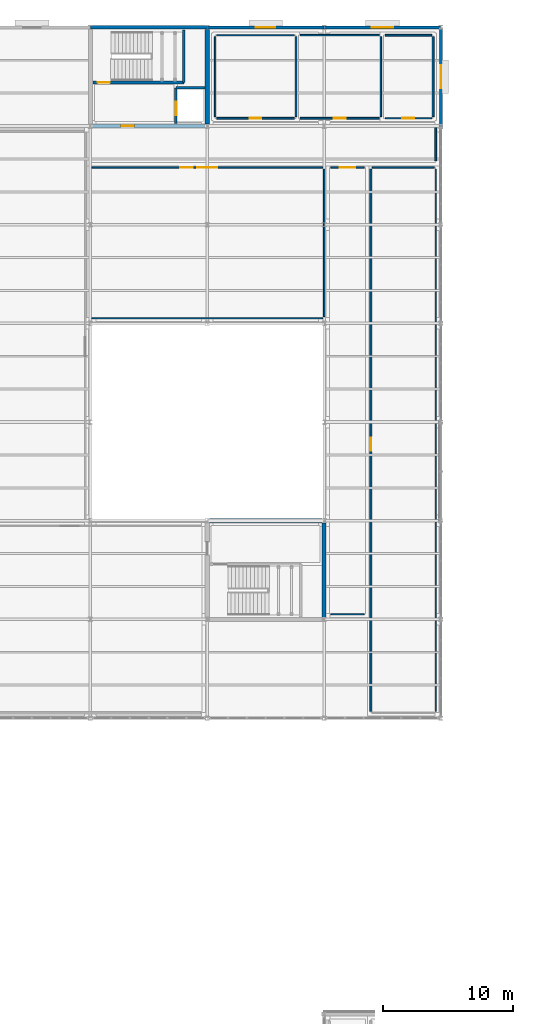
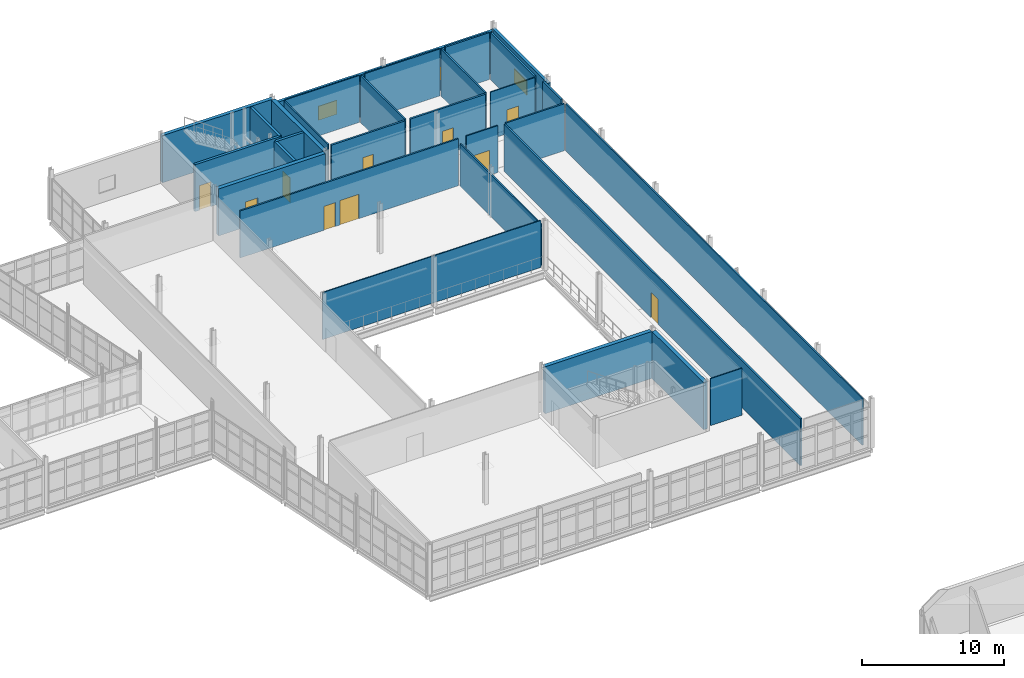
# One storey, part 159 of 166: 31 walls, 10 doors, 3 windows, 13 openings.
"""IFC4 building model written with IfcOpenShell, lengths in metres."""

from ifc_helpers import new_model, si_unit, direction, frame, frame_2d, origin, place, context, subcontext, project, spatial, rectangle, extrude, material, layer, layer_set, type_object, element, fill, save


model = new_model("IFC4")

# Units and contexts
model_context = context("Model", 3, precision=1e-05, world=origin(), true_north=direction((0.0, 1.0)))
body_context = subcontext(model_context, "Body", "Model", "MODEL_VIEW")
ifc_project = project(units=[si_unit("LENGTHUNIT", "METRE"), si_unit("AREAUNIT", "SQUARE_METRE"), si_unit("VOLUMEUNIT", "CUBIC_METRE"), si_unit("PLANEANGLEUNIT", "RADIAN"), si_unit("MASSUNIT", "GRAM", prefix="KILO")], contexts=[model_context])

# Site, building, storey
site_placement = place(None, origin())
site = spatial("IfcSite", under=ifc_project, at=site_placement, CompositionType="ELEMENT")
building_placement = place(site_placement, origin())
building = spatial("IfcBuilding", under=site, at=building_placement, Name="Caisbarro Railhouse Central Library", CompositionType="ELEMENT")
storey_placement = place(building_placement, frame((0.0, 0.0, 9.360107421875)))
storey = spatial("IfcBuildingStorey", under=building, at=storey_placement, Name="L02", CompositionType="ELEMENT", Elevation=9.360107421875)

# Wall, opening, door
ifc_material_1 = material(Name="Concrete C40", Category="concrete")
ifc_layer_1 = layer(ifc_material_1, 0.320068359375, Name="Concrete C40")
ifc_layer_set_1 = layer_set([ifc_layer_1], Name="Concrete C40")
wall_type_1 = type_object("IfcWallType", Name="WAL-CW32", PredefinedType="SHEAR", material=ifc_layer_set_1)
wall_1_placement = place(storey_placement, frame((126.159912109375, 106.39990234375, 0.0), z_axis=(0.0, 0.0, 1.0), x_axis=(1.0, 0.0, 0.0)))
wall_1 = element("IfcWall", 1, at=wall_1_placement, inside=storey, type_object=wall_type_1, Name="CW32 RC core shear wall L02 #46", PredefinedType="SHEAR", context=body_context, shape_type="SweptSolid", body=[
    extrude(rectangle(XDim=8.68017578125, YDim=0.320068359375, at=frame_2d((4.340087890625, 0.0))), origin(), (0.0, 0.0, 1.0), 4.039794921875),
])
opening_1_placement = place(wall_1_placement, frame((2.199951171875, 0.0, 0.0)))
opening_1 = element("IfcOpeningElement", 2, at=opening_1_placement, cuts=wall_1, Name="Opening FD05", PredefinedType="OPENING", context=body_context, shape_type="SweptSolid", body=[
    extrude(rectangle(XDim=1.0, YDim=2.14990234375, at=frame_2d((0.5, 1.074951171875))), frame((0.0, 0.169921875, 0.0), z_axis=(0.0, -1.0, 0.0), x_axis=(1.0, 0.0, 0.0)), (0.0, 0.0, 1.0), 0.340087890625),
])
ifc_material_2 = material(Name="Fire-rated painted galvanised steel", Category="steel")
door_type_1 = type_object("IfcDoorType", Name="DR-FD05", OperationType="NOTDEFINED", PredefinedType="DOOR", material=ifc_material_2)
door_1_placement = place(opening_1_placement, origin())
door_1 = element("IfcDoor", 3, at=door_1_placement, inside=storey, type_object=door_type_1, Name="Core K3 Lobby Door FD05 L02-093", OperationType="SINGLE_SWING_RIGHT", OverallHeight=2.14990234375, OverallWidth=1.0, PredefinedType="DOOR", context=body_context, shape_type="SweptSolid", body=[
    extrude(rectangle(XDim=1.0, YDim=2.14990234375, at=frame_2d((0.5, 1.074951171875))), frame((0.0, 0.02490234375, 0.0), z_axis=(0.0, -1.0, 0.0), x_axis=(1.0, 0.0, 0.0)), (0.0, 0.0, 1.0), 0.050048828125),
])
fill(opening_1, door_1)

# Walls
wall_2_placement = place(storey_placement, frame((135.0, 106.56005859375, 0.0), z_axis=(0.0, 0.0, 1.0), x_axis=(0.0, 1.0, 0.0)))
element("IfcWall", 4, at=wall_2_placement, inside=storey, type_object=wall_type_1, Name="CW32 RC core shear wall L02 #48", PredefinedType="SHEAR", context=body_context, shape_type="SweptSolid", body=[
    extrude(rectangle(XDim=7.280029296875, YDim=0.320068359375, at=frame_2d((3.64013671875, 0.0))), origin(), (0.0, 0.0, 1.0), 4.039794921875),
])
wall_3_placement = place(storey_placement, frame((135.159912109375, 76.0, 0.0), z_axis=(0.0, 0.0, 1.0), x_axis=(1.0, 0.0, 0.0)))
element("IfcWall", 5, at=wall_3_placement, inside=storey, type_object=wall_type_1, Name="CW32 RC core shear wall L02 #99", PredefinedType="SHEAR", context=body_context, shape_type="SweptSolid", body=[
    extrude(rectangle(XDim=8.68017578125, YDim=0.320068359375, at=frame_2d((4.340087890625, 0.0))), origin(), (0.0, 0.0, 1.0), 4.039794921875),
])
wall_4_placement = place(storey_placement, frame((144.0, 68.56005859375, 0.0), z_axis=(0.0, 0.0, 1.0), x_axis=(0.0, 1.0, 0.0)))
element("IfcWall", 6, at=wall_4_placement, inside=storey, type_object=wall_type_1, Name="CW32 RC core shear wall L02 #101", PredefinedType="SHEAR", context=body_context, shape_type="SweptSolid", body=[
    extrude(rectangle(XDim=7.280029296875, YDim=0.320068359375, at=frame_2d((3.64013671875, 0.0))), origin(), (0.0, 0.0, 1.0), 4.039794921875),
])

# Wall, opening, window
ifc_material_3 = material(Name="Concrete C35 insulated architectural precast", Category="concrete")
ifc_layer_2 = layer(ifc_material_3, 0.239990234375, Name="Concrete C35 insulated architectural precast")
ifc_layer_set_2 = layer_set([ifc_layer_2], Name="Concrete C35 insulated architectural precast")
wall_type_2 = type_object("IfcWallType", Name="WAL-EW24", PredefinedType="STANDARD", material=ifc_layer_set_2)
wall_5_placement = place(storey_placement, frame((135.0, 114.0, 0.0), z_axis=(0.0, 0.0, 1.0), x_axis=(1.0, 0.0, 0.0)))
wall_5 = element("IfcWall", 7, at=wall_5_placement, inside=storey, type_object=wall_type_2, Name="EW24 exterior wall L02 #215", PredefinedType="STANDARD", context=body_context, shape_type="SweptSolid", body=[
    extrude(rectangle(XDim=9.0, YDim=0.239990234375, at=frame_2d((4.5, 0.0))), origin(), (0.0, 0.0, 1.0), 3.630859375),
])
opening_2_placement = place(wall_5_placement, frame((3.75, 0.0, 0.85009765625)))
opening_2 = element("IfcOpeningElement", 8, at=opening_2_placement, cuts=wall_5, Name="Opening W05", PredefinedType="OPENING", context=body_context, shape_type="SweptSolid", body=[
    extrude(rectangle(XDim=1.5, YDim=1.199951171875, at=frame_2d((0.75, 0.60009765625))), frame((0.0, 0.1298828125, 0.0), z_axis=(0.0, -1.0, 0.0), x_axis=(1.0, 0.0, 0.0)), (0.0, 0.0, 1.0), 0.260009765625),
])
ifc_material_4 = material(Name="Double low-e laminated solar-control glass", Category="glass")
window_type_1 = type_object("IfcWindowType", Name="WIN-W05", PartitioningType="SINGLE_PANEL", PredefinedType="WINDOW", material=ifc_material_4)
window_1_placement = place(opening_2_placement, origin())
window_1 = element("IfcWindow", 9, at=window_1_placement, inside=storey, type_object=window_type_1, Name="W05 window L02-073", OverallHeight=1.199951171875, OverallWidth=1.5, PartitioningType="SINGLE_PANEL", PredefinedType="WINDOW", context=body_context, shape_type="SweptSolid", body=[
    extrude(rectangle(XDim=1.5, YDim=1.199951171875, at=frame_2d((0.75, 0.60009765625))), frame((0.0, 0.030029296875, 0.0), z_axis=(0.0, -1.0, 0.0), x_axis=(1.0, 0.0, 0.0)), (0.0, 0.0, 1.0), 0.06005859375),
])
fill(opening_2, window_1)

wall_6_placement = place(storey_placement, frame((144.0, 114.0, 0.0), z_axis=(0.0, 0.0, 1.0), x_axis=(1.0, 0.0, 0.0)))
wall_6 = element("IfcWall", 10, at=wall_6_placement, inside=storey, type_object=wall_type_2, Name="EW24 exterior wall L02 #216", PredefinedType="STANDARD", context=body_context, shape_type="SweptSolid", body=[
    extrude(rectangle(XDim=9.0, YDim=0.239990234375, at=frame_2d((4.5, 0.0))), origin(), (0.0, 0.0, 1.0), 3.630859375),
])
opening_3_placement = place(wall_6_placement, frame((3.675048828125, 0.0, 0.85009765625)))
opening_3 = element("IfcOpeningElement", 11, at=opening_3_placement, cuts=wall_6, Name="Opening W06", PredefinedType="OPENING", context=body_context, shape_type="SweptSolid", body=[
    extrude(rectangle(XDim=1.64990234375, YDim=1.199951171875, at=frame_2d((0.824951171875, 0.60009765625))), frame((0.0, 0.1298828125, 0.0), z_axis=(0.0, -1.0, 0.0), x_axis=(1.0, 0.0, 0.0)), (0.0, 0.0, 1.0), 0.260009765625),
])
window_type_2 = type_object("IfcWindowType", Name="WIN-W06", PartitioningType="SINGLE_PANEL", PredefinedType="WINDOW", material=ifc_material_4)
window_2_placement = place(opening_3_placement, origin())
window_2 = element("IfcWindow", 12, at=window_2_placement, inside=storey, type_object=window_type_2, Name="W06 window L02-074", OverallHeight=1.199951171875, OverallWidth=1.64990234375, PartitioningType="SINGLE_PANEL", PredefinedType="WINDOW", context=body_context, shape_type="SweptSolid", body=[
    extrude(rectangle(XDim=1.64990234375, YDim=1.199951171875, at=frame_2d((0.824951171875, 0.60009765625))), frame((0.0, 0.030029296875, 0.0), z_axis=(0.0, -1.0, 0.0), x_axis=(1.0, 0.0, 0.0)), (0.0, 0.0, 1.0), 0.06005859375),
])
fill(opening_3, window_2)

wall_7_placement = place(storey_placement, frame((153.0, 106.18994140625, 0.0), z_axis=(0.0, 0.0, 1.0), x_axis=(0.0, 1.0, 0.0)))
wall_7 = element("IfcWall", 13, at=wall_7_placement, inside=storey, type_object=wall_type_2, Name="EW24 exterior wall L02 #217", PredefinedType="STANDARD", context=body_context, shape_type="SweptSolid", body=[
    extrude(rectangle(XDim=7.81005859375, YDim=0.239990234375, at=frame_2d((3.905029296875, 0.0))), origin(), (0.0, 0.0, 1.0), 3.787841796875),
])
opening_4_placement = place(wall_7_placement, frame((3.110107421875, 0.0, 0.85009765625)))
opening_4 = element("IfcOpeningElement", 14, at=opening_4_placement, cuts=wall_7, Name="Opening W07", PredefinedType="OPENING", context=body_context, shape_type="SweptSolid", body=[
    extrude(rectangle(XDim=1.800048828125, YDim=1.199951171875, at=frame_2d((0.89990234375, 0.60009765625))), frame((0.0, 0.1298828125, 0.0), z_axis=(0.0, -1.0, 0.0), x_axis=(1.0, 0.0, 0.0)), (0.0, 0.0, 1.0), 0.260009765625),
])
window_type_3 = type_object("IfcWindowType", Name="WIN-W07", PartitioningType="SINGLE_PANEL", PredefinedType="WINDOW", material=ifc_material_4)
window_3_placement = place(opening_4_placement, origin())
window_3 = element("IfcWindow", 15, at=window_3_placement, inside=storey, type_object=window_type_3, Name="W07 window L02-075", OverallHeight=1.199951171875, OverallWidth=1.800048828125, PartitioningType="SINGLE_PANEL", PredefinedType="WINDOW", context=body_context, shape_type="SweptSolid", body=[
    extrude(rectangle(XDim=1.800048828125, YDim=1.199951171875, at=frame_2d((0.89990234375, 0.60009765625))), frame((0.0, 0.030029296875, 0.0), z_axis=(0.0, -1.0, 0.0), x_axis=(1.0, 0.0, 0.0)), (0.0, 0.0, 1.0), 0.06005859375),
])
fill(opening_4, window_3)

# Walls
ifc_layer_3 = layer(ifc_material_1, 0.280029296875, Name="Concrete C40")
ifc_layer_set_3 = layer_set([ifc_layer_3], Name="Concrete C40")
wall_type_3 = type_object("IfcWallType", Name="WAL-EW28", PredefinedType="SOLIDWALL", material=ifc_layer_set_3)
wall_8_placement = place(storey_placement, frame((126.0, 114.0, 0.0), z_axis=(0.0, 0.0, 1.0), x_axis=(1.0, 0.0, 0.0)))
element("IfcWall", 16, at=wall_8_placement, inside=storey, type_object=wall_type_3, Name="EW28 exterior wall L02 #214", PredefinedType="SOLIDWALL", context=body_context, shape_type="SweptSolid", body=[
    extrude(rectangle(XDim=9.0, YDim=0.280029296875, at=frame_2d((4.5, 0.0))), origin(), (0.0, 0.0, 1.0), 4.059814453125),
])
ifc_material_5 = material(Name="Acoustic gypsum board on galvanised steel studs", Category="steel")
ifc_layer_4 = layer(ifc_material_5, 0.090087890625, Name="Acoustic gypsum board on galvanised steel studs")
ifc_layer_set_4 = layer_set([ifc_layer_4], Name="Acoustic gypsum board on galvanised steel studs")
wall_type_4 = type_object("IfcWallType", Name="WAL-IW09", PredefinedType="PARTITIONING", material=ifc_layer_set_4)
wall_9_placement = place(storey_placement, frame((126.1201171875, 91.60009765625, 0.0), z_axis=(0.0, 0.0, 1.0), x_axis=(1.0, 0.0, 0.0)))
element("IfcWall", 17, at=wall_9_placement, inside=storey, type_object=wall_type_4, Name="IW09 partition wall L02 #515", PredefinedType="PARTITIONING", context=body_context, shape_type="SweptSolid", body=[
    extrude(rectangle(XDim=17.759765625, YDim=0.090087890625, at=frame_2d((8.8798828125, 0.0))), origin(), (0.0, 0.0, 1.0), 4.039794921875),
])
wall_10_placement = place(storey_placement, frame((135.719970703125, 113.39990234375, 0.0), z_axis=(0.0, 0.0, 1.0), x_axis=(1.0, 0.0, 0.0)))
element("IfcWall", 18, at=wall_10_placement, inside=storey, type_object=wall_type_4, Name="IW09 partition wall L02 #523", PredefinedType="PARTITIONING", context=body_context, shape_type="SweptSolid", body=[
    extrude(rectangle(XDim=5.99609375, YDim=0.090087890625, at=frame_2d((2.998046875, 0.0))), origin(), (0.0, 0.0, 1.0), 4.039794921875),
])

# Wall, opening, door
wall_11_placement = place(storey_placement, frame((148.69189453125, 107.0, 0.0), z_axis=(0.0, 0.0, 1.0), x_axis=(1.0, 0.0, 0.0)))
wall_11 = element("IfcWall", 19, at=wall_11_placement, inside=storey, type_object=wall_type_4, Name="IW09 partition wall L02 #527", PredefinedType="PARTITIONING", context=body_context, shape_type="SweptSolid", body=[
    extrude(rectangle(XDim=3.588134765625, YDim=0.090087890625, at=frame_2d((1.7939453125, 0.0))), origin(), (0.0, 0.0, 1.0), 4.039794921875),
])
opening_5_placement = place(wall_11_placement, frame((1.323974609375, 0.0, 0.0)))
opening_5 = element("IfcOpeningElement", 20, at=opening_5_placement, cuts=wall_11, Name="Opening ID03", PredefinedType="OPENING", context=body_context, shape_type="SweptSolid", body=[
    extrude(rectangle(XDim=0.93994140625, YDim=2.06005859375, at=frame_2d((0.469970703125, 1.030029296875))), frame((0.0, 0.05517578125, 0.0), z_axis=(0.0, -1.0, 0.0), x_axis=(1.0, 0.0, 0.0)), (0.0, 0.0, 1.0), 0.110107421875),
])
ifc_material_6 = material(Name="Solid-core tropical hardwood veneer", Category="wood")
door_type_2 = type_object("IfcDoorType", Name="DR-ID03", OperationType="NOTDEFINED", PredefinedType="DOOR", material=ifc_material_6)
door_2_placement = place(opening_5_placement, origin())
door_2 = element("IfcDoor", 21, at=door_2_placement, inside=storey, type_object=door_type_2, Name="Accessible WC L02-V4 Door ID03 L02-297", OperationType="SINGLE_SWING_LEFT", OverallHeight=2.06005859375, OverallWidth=0.93994140625, PredefinedType="DOOR", context=body_context, shape_type="SweptSolid", body=[
    extrude(rectangle(XDim=0.93994140625, YDim=2.06005859375, at=frame_2d((0.469970703125, 1.030029296875))), frame((0.0, 0.02490234375, 0.0), z_axis=(0.0, -1.0, 0.0), x_axis=(1.0, 0.0, 0.0)), (0.0, 0.0, 1.0), 0.050048828125),
])
fill(opening_5, door_2)

# Walls
wall_12_placement = place(storey_placement, frame((144.52001953125, 68.800048828125, 0.0), z_axis=(0.0, 0.0, 1.0), x_axis=(1.0, 0.0, 0.0)))
element("IfcWall", 22, at=wall_12_placement, inside=storey, type_object=wall_type_4, Name="IW09 partition wall L02 #539", PredefinedType="PARTITIONING", context=body_context, shape_type="SweptSolid", body=[
    extrude(rectangle(XDim=2.56005859375, YDim=0.090087890625, at=frame_2d((1.280029296875, 0.0))), origin(), (0.0, 0.0, 1.0), 4.039794921875),
])
ifc_layer_5 = layer(ifc_material_5, 0.110107421875, Name="Acoustic gypsum board on galvanised steel studs")
ifc_layer_set_5 = layer_set([ifc_layer_5], Name="Acoustic gypsum board on galvanised steel studs")
wall_type_5 = type_object("IfcWallType", Name="WAL-IW11", PredefinedType="PARTITIONING", material=ifc_layer_set_5)
wall_13_placement = place(storey_placement, frame((144.0, 91.719970703125, 0.0), z_axis=(0.0, 0.0, 1.0), x_axis=(0.0, 1.0, 0.0)))
element("IfcWall", 23, at=wall_13_placement, inside=storey, type_object=wall_type_5, Name="IW11 partition wall L02 #514", PredefinedType="PARTITIONING", context=body_context, shape_type="SweptSolid", body=[
    extrude(rectangle(XDim=11.360107421875, YDim=0.110107421875, at=frame_2d((5.68017578125, 0.0))), origin(), (0.0, 0.0, 1.0), 3.630859375),
])
wall_14_placement = place(storey_placement, frame((152.60009765625, 61.320068359375, 0.0), z_axis=(0.0, 0.0, 1.0), x_axis=(0.0, 1.0, 0.0)))
element("IfcWall", 24, at=wall_14_placement, inside=storey, type_object=wall_type_5, Name="IW11 partition wall L02 #518", PredefinedType="PARTITIONING", context=body_context, shape_type="SweptSolid", body=[
    extrude(rectangle(XDim=41.760009765625, YDim=0.110107421875, at=frame_2d((20.8798828125, 0.0))), origin(), (0.0, 0.0, 1.0), 4.039794921875),
])
wall_15_placement = place(storey_placement, frame((135.60009765625, 107.1201171875, 0.0), z_axis=(0.0, 0.0, 1.0), x_axis=(0.0, 1.0, 0.0)))
element("IfcWall", 25, at=wall_15_placement, inside=storey, type_object=wall_type_5, Name="IW11 partition wall L02 #522", PredefinedType="PARTITIONING", context=body_context, shape_type="SweptSolid", body=[
    extrude(rectangle(XDim=6.159912109375, YDim=0.110107421875, at=frame_2d((3.080078125, 0.0))), origin(), (0.0, 0.0, 1.0), 4.039794921875),
])
wall_16_placement = place(storey_placement, frame((142.156005859375, 113.39990234375, 0.0), z_axis=(0.0, 0.0, 1.0), x_axis=(1.0, 0.0, 0.0)))
element("IfcWall", 26, at=wall_16_placement, inside=storey, type_object=wall_type_5, Name="IW11 partition wall L02 #526", PredefinedType="PARTITIONING", context=body_context, shape_type="SweptSolid", body=[
    extrude(rectangle(XDim=6.095947265625, YDim=0.110107421875, at=frame_2d((3.0478515625, 0.0))), origin(), (0.0, 0.0, 1.0), 4.039794921875),
])

# Wall, opening, door
wall_17_placement = place(storey_placement, frame((144.52001953125, 103.199951171875, 0.0), z_axis=(0.0, 0.0, 1.0), x_axis=(1.0, 0.0, 0.0)))
wall_17 = element("IfcWall", 27, at=wall_17_placement, inside=storey, type_object=wall_type_5, Name="IW11 partition wall L02 #538", PredefinedType="PARTITIONING", context=body_context, shape_type="SweptSolid", body=[
    extrude(rectangle(XDim=2.56005859375, YDim=0.110107421875, at=frame_2d((1.280029296875, 0.0))), origin(), (0.0, 0.0, 1.0), 4.039794921875),
])
opening_6_placement = place(wall_17_placement, frame((0.675048828125, 0.0, 0.0)))
opening_6 = element("IfcOpeningElement", 28, at=opening_6_placement, cuts=wall_17, Name="Opening ID30", PredefinedType="OPENING", context=body_context, shape_type="SweptSolid", body=[
    extrude(rectangle(XDim=1.2099609375, YDim=2.14990234375, at=frame_2d((0.60498046875, 1.074951171875))), frame((0.0, 0.06494140625, 0.0), z_axis=(0.0, -1.0, 0.0), x_axis=(1.0, 0.0, 0.0)), (0.0, 0.0, 1.0), 0.130126953125),
])
door_type_3 = type_object("IfcDoorType", Name="DR-ID30", OperationType="NOTDEFINED", PredefinedType="DOOR", material=ifc_material_6)
door_3_placement = place(opening_6_placement, origin())
door_3 = element("IfcDoor", 29, at=door_3_placement, inside=storey, type_object=door_type_3, Name="Atrium East Corridor L02 Door ID30 L02-304", OperationType="SINGLE_SWING_RIGHT", OverallHeight=2.14990234375, OverallWidth=1.2099609375, PredefinedType="DOOR", context=body_context, shape_type="SweptSolid", body=[
    extrude(rectangle(XDim=1.2099609375, YDim=2.14990234375, at=frame_2d((0.60498046875, 1.074951171875))), frame((0.0, 0.02490234375, 0.0), z_axis=(0.0, -1.0, 0.0), x_axis=(1.0, 0.0, 0.0)), (0.0, 0.0, 1.0), 0.050048828125),
])
fill(opening_6, door_3)

# Wall, openings, doors
ifc_layer_6 = layer(ifc_material_5, 0.1298828125, Name="Acoustic gypsum board on galvanised steel studs")
ifc_layer_set_6 = layer_set([ifc_layer_6], Name="Acoustic gypsum board on galvanised steel studs")
wall_type_6 = type_object("IfcWallType", Name="WAL-IW13", PredefinedType="PARTITIONING", material=ifc_layer_set_6)
wall_18_placement = place(storey_placement, frame((126.1201171875, 103.199951171875, 0.0), z_axis=(0.0, 0.0, 1.0), x_axis=(1.0, 0.0, 0.0)))
wall_18 = element("IfcWall", 30, at=wall_18_placement, inside=storey, type_object=wall_type_6, Name="IW13 partition wall L02 #513", PredefinedType="PARTITIONING", context=body_context, shape_type="SweptSolid", body=[
    extrude(rectangle(XDim=17.759765625, YDim=0.1298828125, at=frame_2d((8.8798828125, 0.0))), origin(), (0.0, 0.0, 1.0), 4.039794921875),
])
opening_7_placement = place(wall_18_placement, frame((8.110107421875, 0.0, 0.0)))
opening_7 = element("IfcOpeningElement", 31, at=opening_7_placement, cuts=wall_18, Name="Opening ID19", PredefinedType="OPENING", context=body_context, shape_type="SweptSolid", body=[
    extrude(rectangle(XDim=1.5400390625, YDim=2.10009765625, at=frame_2d((0.77001953125, 1.050048828125))), frame((0.0, 0.074951171875, 0.0), z_axis=(0.0, -1.0, 0.0), x_axis=(1.0, 0.0, 0.0)), (0.0, 0.0, 1.0), 0.14990234375),
])
opening_8_placement = place(wall_18_placement, frame((6.81005859375, 0.0, 0.0)))
opening_8 = element("IfcOpeningElement", 32, at=opening_8_placement, cuts=wall_18, Name="Opening ID03", PredefinedType="OPENING", context=body_context, shape_type="SweptSolid", body=[
    extrude(rectangle(XDim=0.93994140625, YDim=2.06005859375, at=frame_2d((0.469970703125, 1.030029296875))), frame((0.0, 0.074951171875, 0.0), z_axis=(0.0, -1.0, 0.0), x_axis=(1.0, 0.0, 0.0)), (0.0, 0.0, 1.0), 0.14990234375),
])
door_4_placement = place(opening_8_placement, origin())
door_4 = element("IfcDoor", 33, at=door_4_placement, inside=storey, type_object=door_type_2, Name="Atrium North WC Corridor L02 Door ID03 L02-305", OperationType="SINGLE_SWING_LEFT", OverallHeight=2.06005859375, OverallWidth=0.93994140625, PredefinedType="DOOR", context=body_context, shape_type="SweptSolid", body=[
    extrude(rectangle(XDim=0.93994140625, YDim=2.06005859375, at=frame_2d((0.469970703125, 1.030029296875))), frame((0.0, 0.02490234375, 0.0), z_axis=(0.0, -1.0, 0.0), x_axis=(1.0, 0.0, 0.0)), (0.0, 0.0, 1.0), 0.050048828125),
])
fill(opening_8, door_4)
door_type_4 = type_object("IfcDoorType", Name="DR-ID19", OperationType="NOTDEFINED", PredefinedType="DOOR", material=ifc_material_6)
door_5_placement = place(opening_7_placement, origin())
door_5 = element("IfcDoor", 34, at=door_5_placement, inside=storey, type_object=door_type_4, Name="Collaborative Seminar Suite L02 Door ID19 L02-293", OperationType="SINGLE_SWING_LEFT", OverallHeight=2.10009765625, OverallWidth=1.5400390625, PredefinedType="DOOR", context=body_context, shape_type="SweptSolid", body=[
    extrude(rectangle(XDim=1.5400390625, YDim=2.10009765625, at=frame_2d((0.77001953125, 1.050048828125))), frame((0.0, 0.02490234375, 0.0), z_axis=(0.0, -1.0, 0.0), x_axis=(1.0, 0.0, 0.0)), (0.0, 0.0, 1.0), 0.050048828125),
])
fill(opening_7, door_5)

# Walls
wall_19_placement = place(storey_placement, frame((147.719970703125, 103.199951171875, 0.0), z_axis=(0.0, 0.0, 1.0), x_axis=(1.0, 0.0, 0.0)))
element("IfcWall", 35, at=wall_19_placement, inside=storey, type_object=wall_type_6, Name="IW13 partition wall L02 #517", PredefinedType="PARTITIONING", context=body_context, shape_type="SweptSolid", body=[
    extrude(rectangle(XDim=4.760009765625, YDim=0.1298828125, at=frame_2d((2.3798828125, 0.0))), origin(), (0.0, 0.0, 1.0), 4.039794921875),
])
for number, where, z_axis, x_axis, name in (
    (36, (141.8359375, 107.1201171875, 0.0), (0.0, 0.0, 1.0), (0.0, 1.0, 0.0), "IW13 partition wall L02 #521"),
    (37, (148.3720703125, 107.1201171875, 0.0), (0.0, 0.0, 1.0), (0.0, 1.0, 0.0), "IW13 partition wall L02 #525"),
):
    element("IfcWall", number, at=place(storey_placement, frame(where, z_axis=z_axis, x_axis=x_axis)), inside=storey, type_object=wall_type_6, Name=name, PredefinedType="PARTITIONING", context=body_context, shape_type="SweptSolid", body=[
        extrude(rectangle(XDim=6.159912109375, YDim=0.1298828125, at=frame_2d((3.080078125, 0.0))), origin(), (0.0, 0.0, 1.0), 4.039794921875),
    ])
wall_20_placement = place(storey_placement, frame((148.69189453125, 113.39990234375, 0.0), z_axis=(0.0, 0.0, 1.0), x_axis=(1.0, 0.0, 0.0)))
element("IfcWall", 38, at=wall_20_placement, inside=storey, type_object=wall_type_6, Name="IW13 partition wall L02 #529", PredefinedType="PARTITIONING", context=body_context, shape_type="SweptSolid", body=[
    extrude(rectangle(XDim=3.588134765625, YDim=0.1298828125, at=frame_2d((1.7939453125, 0.0))), origin(), (0.0, 0.0, 1.0), 4.039794921875),
])

# Wall, opening, door
ifc_layer_7 = layer(ifc_material_5, 0.14990234375, Name="Acoustic gypsum board on galvanised steel studs")
ifc_layer_set_7 = layer_set([ifc_layer_7], Name="Acoustic gypsum board on galvanised steel studs")
wall_type_7 = type_object("IfcWallType", Name="WAL-IW15", PredefinedType="PARTITIONING", material=ifc_layer_set_7)
wall_21_placement = place(storey_placement, frame((147.60009765625, 61.320068359375, 0.0), z_axis=(0.0, 0.0, 1.0), x_axis=(0.0, 1.0, 0.0)))
wall_21 = element("IfcWall", 39, at=wall_21_placement, inside=storey, type_object=wall_type_7, Name="IW15 partition wall L02 #516", PredefinedType="PARTITIONING", context=body_context, shape_type="SweptSolid", body=[
    extrude(rectangle(XDim=41.760009765625, YDim=0.14990234375, at=frame_2d((20.8798828125, 0.0))), origin(), (0.0, 0.0, 1.0), 4.039794921875),
])
opening_9_placement = place(wall_21_placement, frame((20.06005859375, 0.0, 0.0)))
opening_9 = element("IfcOpeningElement", 40, at=opening_9_placement, cuts=wall_21, Name="Opening FD05", PredefinedType="OPENING", context=body_context, shape_type="SweptSolid", body=[
    extrude(rectangle(XDim=1.0, YDim=2.14990234375, at=frame_2d((0.5, 1.074951171875))), frame((0.0, 0.0849609375, 0.0), z_axis=(0.0, -1.0, 0.0), x_axis=(1.0, 0.0, 0.0)), (0.0, 0.0, 1.0), 0.169921875),
])
door_6_placement = place(opening_9_placement, origin())
door_6 = element("IfcDoor", 41, at=door_6_placement, inside=storey, type_object=door_type_1, Name="Individual Research Carrels L02 Door FD05 L02-294", OperationType="SINGLE_SWING_RIGHT", OverallHeight=2.14990234375, OverallWidth=1.0, PredefinedType="DOOR", context=body_context, shape_type="SweptSolid", body=[
    extrude(rectangle(XDim=1.0, YDim=2.14990234375, at=frame_2d((0.5, 1.074951171875))), frame((0.0, 0.02490234375, 0.0), z_axis=(0.0, -1.0, 0.0), x_axis=(1.0, 0.0, 0.0)), (0.0, 0.0, 1.0), 0.050048828125),
])
fill(opening_9, door_6)

wall_22_placement = place(storey_placement, frame((135.719970703125, 107.0, 0.0), z_axis=(0.0, 0.0, 1.0), x_axis=(1.0, 0.0, 0.0)))
wall_22 = element("IfcWall", 42, at=wall_22_placement, inside=storey, type_object=wall_type_7, Name="IW15 partition wall L02 #520", PredefinedType="PARTITIONING", context=body_context, shape_type="SweptSolid", body=[
    extrude(rectangle(XDim=5.99609375, YDim=0.14990234375, at=frame_2d((2.998046875, 0.0))), origin(), (0.0, 0.0, 1.0), 4.039794921875),
])
opening_10_placement = place(wall_22_placement, frame((2.568115234375, 0.0, 0.0)))
opening_10 = element("IfcOpeningElement", 43, at=opening_10_placement, cuts=wall_22, Name="Opening ID01", PredefinedType="OPENING", context=body_context, shape_type="SweptSolid", body=[
    extrude(rectangle(XDim=0.860107421875, YDim=2.06005859375, at=frame_2d((0.43017578125, 1.030029296875))), frame((0.0, 0.0849609375, 0.0), z_axis=(0.0, -1.0, 0.0), x_axis=(1.0, 0.0, 0.0)), (0.0, 0.0, 1.0), 0.169921875),
])
door_type_5 = type_object("IfcDoorType", Name="DR-ID01", OperationType="NOTDEFINED", PredefinedType="DOOR", material=ifc_material_6)
door_7_placement = place(opening_10_placement, origin())
door_7 = element("IfcDoor", 44, at=door_7_placement, inside=storey, type_object=door_type_5, Name="Male WC L02-V4 Door ID01 L02-295", OperationType="SINGLE_SWING_LEFT", OverallHeight=2.06005859375, OverallWidth=0.860107421875, PredefinedType="DOOR", context=body_context, shape_type="SweptSolid", body=[
    extrude(rectangle(XDim=0.860107421875, YDim=2.06005859375, at=frame_2d((0.43017578125, 1.030029296875))), frame((0.0, 0.02490234375, 0.0), z_axis=(0.0, -1.0, 0.0), x_axis=(1.0, 0.0, 0.0)), (0.0, 0.0, 1.0), 0.050048828125),
])
fill(opening_10, door_7)

wall_23_placement = place(storey_placement, frame((142.156005859375, 107.0, 0.0), z_axis=(0.0, 0.0, 1.0), x_axis=(1.0, 0.0, 0.0)))
wall_23 = element("IfcWall", 45, at=wall_23_placement, inside=storey, type_object=wall_type_7, Name="IW15 partition wall L02 #524", PredefinedType="PARTITIONING", context=body_context, shape_type="SweptSolid", body=[
    extrude(rectangle(XDim=6.095947265625, YDim=0.14990234375, at=frame_2d((3.0478515625, 0.0))), origin(), (0.0, 0.0, 1.0), 4.039794921875),
])
opening_11_placement = place(wall_23_placement, frame((2.597900390625, 0.0, 0.0)))
opening_11 = element("IfcOpeningElement", 46, at=opening_11_placement, cuts=wall_23, Name="Opening ID02", PredefinedType="OPENING", context=body_context, shape_type="SweptSolid", body=[
    extrude(rectangle(XDim=0.89990234375, YDim=2.06005859375, at=frame_2d((0.449951171875, 1.030029296875))), frame((0.0, 0.0849609375, 0.0), z_axis=(0.0, -1.0, 0.0), x_axis=(1.0, 0.0, 0.0)), (0.0, 0.0, 1.0), 0.169921875),
])
door_type_6 = type_object("IfcDoorType", Name="DR-ID02", OperationType="NOTDEFINED", PredefinedType="DOOR", material=ifc_material_6)
door_8_placement = place(opening_11_placement, origin())
door_8 = element("IfcDoor", 47, at=door_8_placement, inside=storey, type_object=door_type_6, Name="Female WC L02-V4 Door ID02 L02-296", OperationType="SINGLE_SWING_RIGHT", OverallHeight=2.06005859375, OverallWidth=0.89990234375, PredefinedType="DOOR", context=body_context, shape_type="SweptSolid", body=[
    extrude(rectangle(XDim=0.89990234375, YDim=2.06005859375, at=frame_2d((0.449951171875, 1.030029296875))), frame((0.0, 0.02490234375, 0.0), z_axis=(0.0, -1.0, 0.0), x_axis=(1.0, 0.0, 0.0)), (0.0, 0.0, 1.0), 0.050048828125),
])
fill(opening_11, door_8)

# Walls
wall_24_placement = place(storey_placement, frame((152.39990234375, 107.1201171875, 0.0), z_axis=(0.0, 0.0, 1.0), x_axis=(0.0, 1.0, 0.0)))
element("IfcWall", 48, at=wall_24_placement, inside=storey, type_object=wall_type_7, Name="IW15 partition wall L02 #528", PredefinedType="PARTITIONING", context=body_context, shape_type="SweptSolid", body=[
    extrude(rectangle(XDim=6.159912109375, YDim=0.14990234375, at=frame_2d((3.080078125, 0.0))), origin(), (0.0, 0.0, 1.0), 4.039794921875),
])
wall_25_placement = place(storey_placement, frame((152.60009765625, 103.719970703125, 0.0), z_axis=(0.0, 0.0, 1.0), x_axis=(0.0, 1.0, 0.0)))
element("IfcWall", 49, at=wall_25_placement, inside=storey, type_object=wall_type_7, Name="IW15 partition wall L02 #540", PredefinedType="PARTITIONING", context=body_context, shape_type="SweptSolid", body=[
    extrude(rectangle(XDim=2.56005859375, YDim=0.14990234375, at=frame_2d((1.280029296875, 0.0))), origin(), (0.0, 0.0, 1.0), 4.039794921875),
])

# Wall, opening, door
ifc_layer_8 = layer(ifc_material_1, 0.2099609375, Name="Concrete C40")
ifc_layer_set_8 = layer_set([ifc_layer_8], Name="Concrete C40")
wall_type_8 = type_object("IfcWallType", Name="WAL-SW21", PredefinedType="SOLIDWALL", material=ifc_layer_set_8)
wall_26_placement = place(storey_placement, frame((126.199951171875, 109.75, 0.0), z_axis=(0.0, 0.0, 1.0), x_axis=(1.0, 0.0, 0.0)))
wall_26 = element("IfcWall", 50, at=wall_26_placement, inside=storey, type_object=wall_type_8, Name="SW21 core shaft wall L02 #107", PredefinedType="SOLIDWALL", context=body_context, shape_type="SweptSolid", body=[
    extrude(rectangle(XDim=7.0, YDim=0.2099609375, at=frame_2d((3.5, 0.0))), origin(), (0.0, 0.0, 1.0), 4.039794921875),
])
opening_12_placement = place(wall_26_placement, frame((0.35009765625, 0.0, 0.0)))
opening_12 = element("IfcOpeningElement", 51, at=opening_12_placement, cuts=wall_26, Name="Opening FD01", PredefinedType="OPENING", context=body_context, shape_type="SweptSolid", body=[
    extrude(rectangle(XDim=0.949951171875, YDim=2.1201171875, at=frame_2d((0.47509765625, 1.06005859375))), frame((0.0, 0.114990234375, 0.0), z_axis=(0.0, -1.0, 0.0), x_axis=(1.0, 0.0, 0.0)), (0.0, 0.0, 1.0), 0.22998046875),
])
door_type_7 = type_object("IfcDoorType", Name="DR-FD01", OperationType="NOTDEFINED", PredefinedType="DOOR", material=ifc_material_2)
door_9_placement = place(opening_12_placement, origin())
door_9 = element("IfcDoor", 52, at=door_9_placement, inside=storey, type_object=door_type_7, Name="Stair ST-03 Fire Door FD01 L02-091", OperationType="SINGLE_SWING_LEFT", OverallHeight=2.1201171875, OverallWidth=0.949951171875, PredefinedType="DOOR", context=body_context, shape_type="SweptSolid", body=[
    extrude(rectangle(XDim=0.949951171875, YDim=2.1201171875, at=frame_2d((0.47509765625, 1.06005859375))), frame((0.0, 0.02490234375, 0.0), z_axis=(0.0, -1.0, 0.0), x_axis=(1.0, 0.0, 0.0)), (0.0, 0.0, 1.0), 0.050048828125),
])
fill(opening_12, door_9)

# Wall
wall_27_placement = place(storey_placement, frame((133.199951171875, 109.75, 0.0), z_axis=(0.0, 0.0, 1.0), x_axis=(0.0, 1.0, 0.0)))
element("IfcWall", 53, at=wall_27_placement, inside=storey, type_object=wall_type_8, Name="SW21 core shaft wall L02 #108", PredefinedType="SOLIDWALL", context=body_context, shape_type="SweptSolid", body=[
    extrude(rectangle(XDim=4.050048828125, YDim=0.2099609375, at=frame_2d((2.02490234375, 0.0))), origin(), (0.0, 0.0, 1.0), 4.039794921875),
])

# Wall, opening, door
wall_28_placement = place(storey_placement, frame((132.580078125, 106.60009765625, 0.0), z_axis=(0.0, 0.0, 1.0), x_axis=(0.0, 1.0, 0.0)))
wall_28 = element("IfcWall", 54, at=wall_28_placement, inside=storey, type_object=wall_type_8, Name="SW21 core shaft wall L02 #109", PredefinedType="SOLIDWALL", context=body_context, shape_type="SweptSolid", body=[
    extrude(rectangle(XDim=2.75, YDim=0.2099609375, at=frame_2d((1.375, 0.0))), origin(), (0.0, 0.0, 1.0), 4.039794921875),
])
opening_13_placement = place(wall_28_placement, frame((0.64990234375, 0.0, 0.0)))
opening_13 = element("IfcOpeningElement", 55, at=opening_13_placement, cuts=wall_28, Name="Opening LD02", PredefinedType="OPENING", context=body_context, shape_type="SweptSolid", body=[
    extrude(rectangle(XDim=1.0400390625, YDim=2.10009765625, at=frame_2d((0.52001953125, 1.050048828125))), frame((0.0, 0.114990234375, 0.0), z_axis=(0.0, -1.0, 0.0), x_axis=(1.0, 0.0, 0.0)), (0.0, 0.0, 1.0), 0.22998046875),
])
ifc_material_7 = material(Name="Brushed stainless steel elevator cab", Category="steel")
door_type_8 = type_object("IfcDoorType", Name="DR-LD02", OperationType="NOTDEFINED", PredefinedType="DOOR", material=ifc_material_7)
door_10_placement = place(opening_13_placement, origin())
door_10 = element("IfcDoor", 56, at=door_10_placement, inside=storey, type_object=door_type_8, Name="Lift PL-02 Landing Door LD02 L02-092", OperationType="SLIDING_TO_LEFT", OverallHeight=2.10009765625, OverallWidth=1.0400390625, PredefinedType="DOOR", context=body_context, shape_type="SweptSolid", body=[
    extrude(rectangle(XDim=1.0400390625, YDim=2.10009765625, at=frame_2d((0.52001953125, 1.050048828125))), frame((0.0, 0.02490234375, 0.0), z_axis=(0.0, -1.0, 0.0), x_axis=(1.0, 0.0, 0.0)), (0.0, 0.0, 1.0), 0.050048828125),
])
fill(opening_13, door_10)

# Wall
wall_29_placement = place(storey_placement, frame((132.580078125, 109.35009765625, 0.0), z_axis=(0.0, 0.0, 1.0), x_axis=(1.0, 0.0, 0.0)))
element("IfcWall", 57, at=wall_29_placement, inside=storey, type_object=wall_type_8, Name="SW21 core shaft wall L02 #110", PredefinedType="SOLIDWALL", context=body_context, shape_type="SweptSolid", body=[
    extrude(rectangle(XDim=2.239990234375, YDim=0.2099609375, at=frame_2d((1.1201171875, 0.0))), origin(), (0.0, 0.0, 1.0), 4.039794921875),
])

save(model, "model.ifc")
